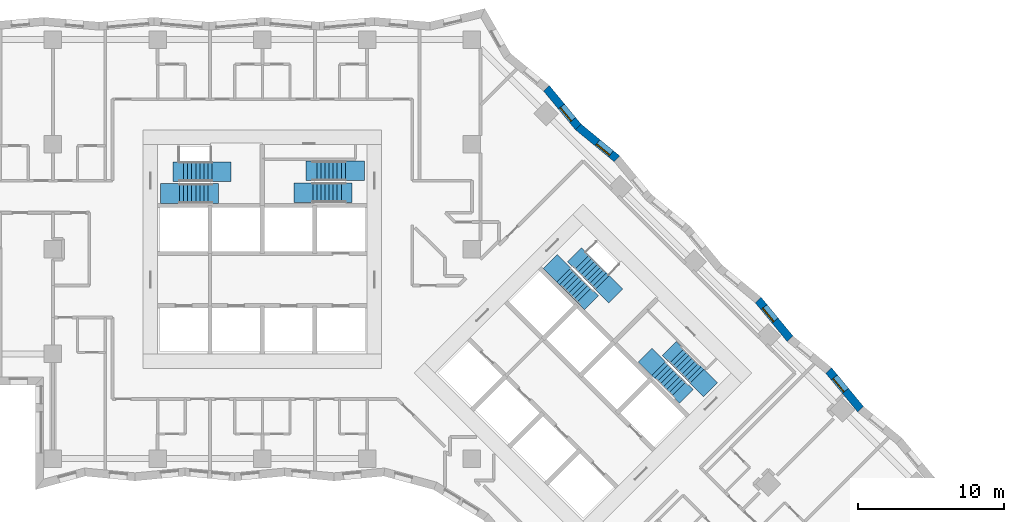
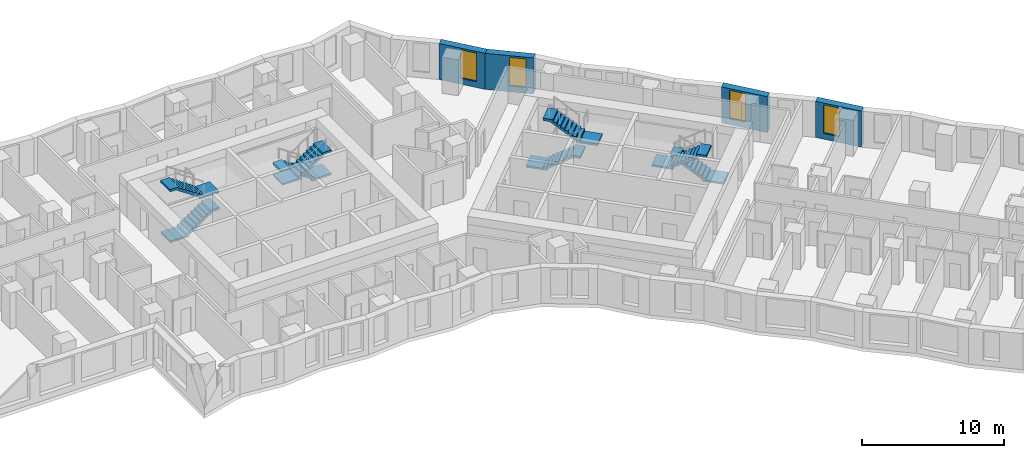
# One storey, part 11 of 13: 8 stair flights, 4 walls, 4 windows, 4 openings, 4 elements without a shape of their own.
"""IFC4 building model written with IfcOpenShell, lengths in metres."""

from ifc_helpers import new_model, si_unit, direction, frame, frame_2d, origin, place, context, subcontext, project, spatial, polyline, rectangle, outline, extrude, material, layer, layer_set, type_object, element, fill, aggregate, save


model = new_model("IFC4")

# Units and contexts
model_context = context("Model", 3, precision=1e-05, world=origin(), true_north=direction((0.0, 1.0)))
body_context = subcontext(model_context, "Body", "Model", "MODEL_VIEW")
ifc_project = project(units=[si_unit("LENGTHUNIT", "METRE"), si_unit("AREAUNIT", "SQUARE_METRE"), si_unit("VOLUMEUNIT", "CUBIC_METRE"), si_unit("PLANEANGLEUNIT", "RADIAN"), si_unit("MASSUNIT", "GRAM", prefix="KILO")], contexts=[model_context])

# Site, building, storey
site_placement = place(None, origin())
site = spatial("IfcSite", under=ifc_project, at=site_placement, CompositionType="ELEMENT")
building_placement = place(site_placement, origin())
building = spatial("IfcBuilding", under=site, at=building_placement, Name="Windrow Commons", CompositionType="ELEMENT")
storey_placement = place(building_placement, frame((0.0, 0.0, 30.4)))
storey = spatial("IfcBuildingStorey", under=building, at=storey_placement, Name="L07", CompositionType="ELEMENT", Elevation=30.4)

# Wall, opening, window
ifc_material_1 = material(Name="Brick masonry, red clay brick", Category="masonry")
ifc_layer = layer(ifc_material_1, 0.55)
ifc_layer_set = layer_set([ifc_layer], Name="Brick facade wall 550")
wall_type = type_object("IfcWallType", Name="Brick facade wall 550", PredefinedType="SOLIDWALL", material=ifc_layer_set)
wall_1_placement = place(storey_placement, frame((105.9096, 46.5968, 0.0), z_axis=(0.0, 0.0, 1.0), x_axis=(-0.6361567317, 0.7715598569, 0.0)))
wall_1 = element("IfcWall", 1, at=wall_1_placement, inside=storey, type_object=wall_type, Name="Brick facade wall L07 12", PredefinedType="SOLIDWALL", context=body_context, shape_type="SweptSolid", body=[
    extrude(outline(polyline([(0.0265, -0.275), (3.4724, -0.275), (3.4195, 0.275), (-0.0265, 0.275), (0.0265, -0.275)])), origin(), (0.0, 0.0, 1.0), 3.1),
])
opening_1_placement = place(wall_1_placement, frame((1.6364, 0.0, 0.5)))
opening_1 = element("IfcOpeningElement", 2, at=opening_1_placement, cuts=wall_1, Name="Opening W7D", PredefinedType="OPENING", context=body_context, shape_type="SweptSolid", body=[
    extrude(rectangle(XDim=1.2, YDim=2.45, at=frame_2d((0.6, 1.225))), frame((0.0, 0.285, 0.0), z_axis=(0.0, -1.0, 0.0), x_axis=(1.0, 0.0, 0.0)), (0.0, 0.0, 1.0), 0.57),
])
ifc_material_2 = material(Name="Clear float glass in anodised aluminium frame", Category="aluminium")
window_type = type_object("IfcWindowType", Name="Window W7 notch 1200x2450", PartitioningType="SINGLE_PANEL", PredefinedType="WINDOW", material=ifc_material_2)
window_1_placement = place(opening_1_placement, origin())
window_1 = element("IfcWindow", 3, at=window_1_placement, inside=storey, type_object=window_type, Name="Window L07 12.1", OverallHeight=2.45, OverallWidth=1.2, PartitioningType="SINGLE_PANEL", PredefinedType="WINDOW", context=body_context, shape_type="SweptSolid", body=[
    extrude(rectangle(XDim=1.2, YDim=2.45, at=frame_2d((0.6, 1.225))), frame((0.0, 0.155, 0.0), z_axis=(0.0, -1.0, 0.0), x_axis=(1.0, 0.0, 0.0)), (0.0, 0.0, 1.0), 0.06),
])
fill(opening_1, window_1)

wall_2_placement = place(storey_placement, frame((101.0586, 51.4478, 0.0), z_axis=(0.0, 0.0, 1.0), x_axis=(-0.636139456, 0.7715741005, 0.0)))
wall_2 = element("IfcWall", 4, at=wall_2_placement, inside=storey, type_object=wall_type, Name="Brick facade wall L07 14", PredefinedType="SOLIDWALL", context=body_context, shape_type="SweptSolid", body=[
    extrude(outline(polyline([(0.0265, -0.275), (3.4724, -0.275), (3.4195, 0.275), (-0.0265, 0.275), (0.0265, -0.275)])), origin(), (0.0, 0.0, 1.0), 3.1),
])
opening_2_placement = place(wall_2_placement, frame((1.607, 0.0, 0.5)))
opening_2 = element("IfcOpeningElement", 5, at=opening_2_placement, cuts=wall_2, Name="Opening W7D", PredefinedType="OPENING", context=body_context, shape_type="SweptSolid", body=[
    extrude(rectangle(XDim=1.2, YDim=2.45, at=frame_2d((0.6, 1.225))), frame((0.0, 0.285, 0.0), z_axis=(0.0, -1.0, 0.0), x_axis=(1.0, 0.0, 0.0)), (0.0, 0.0, 1.0), 0.57),
])
window_2_placement = place(opening_2_placement, origin())
window_2 = element("IfcWindow", 6, at=window_2_placement, inside=storey, type_object=window_type, Name="Window L07 14.1", OverallHeight=2.45, OverallWidth=1.2, PartitioningType="SINGLE_PANEL", PredefinedType="WINDOW", context=body_context, shape_type="SweptSolid", body=[
    extrude(rectangle(XDim=1.2, YDim=2.45, at=frame_2d((0.6, 1.225))), frame((0.0, 0.155, 0.0), z_axis=(0.0, -1.0, 0.0), x_axis=(1.0, 0.0, 0.0)), (0.0, 0.0, 1.0), 0.06),
])
fill(opening_2, window_2)

wall_3_placement = place(storey_placement, frame((89.1646, 63.8085, 0.0), z_axis=(0.0, 0.0, 1.0), x_axis=(-0.7715741005, 0.636139456, 0.0)))
wall_3 = element("IfcWall", 7, at=wall_3_placement, inside=storey, type_object=wall_type, Name="Brick facade wall L07 19", PredefinedType="SOLIDWALL", context=body_context, shape_type="SweptSolid", body=[
    extrude(outline(polyline([(-0.0265, -0.275), (3.4195, -0.275), (3.4724, 0.275), (0.0265, 0.275), (-0.0265, -0.275)])), origin(), (0.0, 0.0, 1.0), 3.1),
])
opening_3_placement = place(wall_3_placement, frame((0.5371, 0.0, 0.5)))
opening_3 = element("IfcOpeningElement", 8, at=opening_3_placement, cuts=wall_3, Name="Opening W7D", PredefinedType="OPENING", context=body_context, shape_type="SweptSolid", body=[
    extrude(rectangle(XDim=1.2, YDim=2.45, at=frame_2d((0.6, 1.225))), frame((0.0, 0.285, 0.0), z_axis=(0.0, -1.0, 0.0), x_axis=(1.0, 0.0, 0.0)), (0.0, 0.0, 1.0), 0.57),
])
window_3_placement = place(opening_3_placement, origin())
window_3 = element("IfcWindow", 9, at=window_3_placement, inside=storey, type_object=window_type, Name="Window L07 19.1", OverallHeight=2.45, OverallWidth=1.2, PartitioningType="SINGLE_PANEL", PredefinedType="WINDOW", context=body_context, shape_type="SweptSolid", body=[
    extrude(rectangle(XDim=1.2, YDim=2.45, at=frame_2d((0.6, 1.225))), frame((0.0, 0.155, 0.0), z_axis=(0.0, -1.0, 0.0), x_axis=(1.0, 0.0, 0.0)), (0.0, 0.0, 1.0), 0.06),
])
fill(opening_3, window_3)

wall_4_placement = place(storey_placement, frame((86.5058, 66.0006, 0.0), z_axis=(0.0, 0.0, 1.0), x_axis=(-0.6361567317, 0.7715598569, 0.0)))
wall_4 = element("IfcWall", 10, at=wall_4_placement, inside=storey, type_object=wall_type, Name="Brick facade wall L07 20", PredefinedType="SOLIDWALL", context=body_context, shape_type="SweptSolid", body=[
    extrude(outline(polyline([(0.0265, -0.275), (3.4724, -0.275), (3.4195, 0.275), (-0.0265, 0.275), (0.0265, -0.275)])), origin(), (0.0, 0.0, 1.0), 3.1),
])
opening_4_placement = place(wall_4_placement, frame((0.6092, 0.0, 0.5)))
opening_4 = element("IfcOpeningElement", 11, at=opening_4_placement, cuts=wall_4, Name="Opening W7D", PredefinedType="OPENING", context=body_context, shape_type="SweptSolid", body=[
    extrude(rectangle(XDim=1.2, YDim=2.45, at=frame_2d((0.6, 1.225))), frame((0.0, 0.285, 0.0), z_axis=(0.0, -1.0, 0.0), x_axis=(1.0, 0.0, 0.0)), (0.0, 0.0, 1.0), 0.57),
])
window_4_placement = place(opening_4_placement, origin())
window_4 = element("IfcWindow", 12, at=window_4_placement, inside=storey, type_object=window_type, Name="Window L07 20.1", OverallHeight=2.45, OverallWidth=1.2, PartitioningType="SINGLE_PANEL", PredefinedType="WINDOW", context=body_context, shape_type="SweptSolid", body=[
    extrude(rectangle(XDim=1.2, YDim=2.45, at=frame_2d((0.6, 1.225))), frame((0.0, 0.155, 0.0), z_axis=(0.0, -1.0, 0.0), x_axis=(1.0, 0.0, 0.0)), (0.0, 0.0, 1.0), 0.06),
])
fill(opening_4, window_4)

# Stair, stair flights
ifc_material_3 = material(Name="Concrete C40/50", Category="concrete")
stair_type = type_object("IfcStairType", Name="Core stair", PredefinedType="HALF_TURN_STAIR", material=ifc_material_3)
placement = place(storey_placement, origin())
stair_1 = element("IfcStair", 13, at=placement, inside=storey, type_object=stair_type, Name="L07 Exit stair A1 core A", PredefinedType="HALF_TURN_STAIR")
ifc_material_4 = material(Name="Concrete C40/50", Category="concrete")
stair_flight_type = type_object("IfcStairFlightType", Name="Core stair flight", PredefinedType="STRAIGHT", material=ifc_material_4)
stair_flight_1_placement = place(storey_placement, frame((59.1, 61.425, 0.0), z_axis=(0.0, 0.0, 1.0), x_axis=(1.0, 0.0, 0.0)))
stair_flight_1 = element("IfcStairFlight", 14, at=stair_flight_1_placement, type_object=stair_flight_type, Name="ST-A1 flight 1", NumberOfRisers=9, NumberOfTreads=8, PredefinedType="STRAIGHT", RiserHeight=0.188888889, TreadLength=0.28, context=body_context, shape_type="SweptSolid", body=[
    extrude(outline(polyline([(-1.3, -0.15), (-1.3, 0.0), (0.0, 0.0), (0.0, 0.1889), (0.28, 0.1889), (0.28, 0.3778), (0.56, 0.3778), (0.56, 0.5667), (0.84, 0.5667), (0.84, 0.7556), (1.12, 0.7556), (1.12, 0.9444), (1.4, 0.9444), (1.4, 1.1333), (1.68, 1.1333), (1.68, 1.3222), (1.96, 1.3222), (1.96, 1.5111), (2.24, 1.5111), (2.69, 1.5111), (2.69, 1.3111), (2.24, 1.3111), (2.24, 1.3302), (0.2682, 0.0), (0.2682, -0.15), (-1.3, -0.15)])), frame((0.0, 0.675, 0.0), z_axis=(0.0, -1.0, 0.0), x_axis=(1.0, 0.0, 0.0)), (0.0, 0.0, 1.0), 1.35),
])
stair_flight_2_placement = place(storey_placement, frame((61.34, 62.925, 1.7), z_axis=(0.0, 0.0, 1.0), x_axis=(-1.0, 0.0, 0.0)))
stair_flight_2 = element("IfcStairFlight", 15, at=stair_flight_2_placement, type_object=stair_flight_type, Name="ST-A1 flight 2", NumberOfRisers=9, NumberOfTreads=8, PredefinedType="STRAIGHT", RiserHeight=0.188888889, TreadLength=0.28, context=body_context, shape_type="SweptSolid", body=[
    extrude(outline(polyline([(-1.3, -0.15), (-1.3, 0.0), (0.0, 0.0), (0.0, 0.1889), (0.28, 0.1889), (0.28, 0.3778), (0.56, 0.3778), (0.56, 0.5667), (0.84, 0.5667), (0.84, 0.7556), (1.12, 0.7556), (1.12, 0.9444), (1.4, 0.9444), (1.4, 1.1333), (1.68, 1.1333), (1.68, 1.3222), (1.96, 1.3222), (1.96, 1.5111), (2.24, 1.5111), (2.69, 1.5111), (2.69, 1.3111), (2.24, 1.3111), (2.24, 1.3302), (0.2682, 0.0), (0.2682, -0.15), (-1.3, -0.15)])), frame((0.0, 0.675, 0.0), z_axis=(0.0, -1.0, 0.0), x_axis=(1.0, 0.0, 0.0)), (0.0, 0.0, 1.0), 1.35),
])
aggregate(stair_1, [stair_flight_1, stair_flight_2])

stair_2 = element("IfcStair", 16, at=placement, inside=storey, type_object=stair_type, Name="L07 Exit stair A2 core A", PredefinedType="HALF_TURN_STAIR")
stair_flight_3_placement = place(storey_placement, frame((70.5, 62.98, 0.0), z_axis=(0.0, 0.0, 1.0), x_axis=(-1.0, 0.0, 0.0)))
stair_flight_3 = element("IfcStairFlight", 17, at=stair_flight_3_placement, type_object=stair_flight_type, Name="ST-A2 flight 1", NumberOfRisers=9, NumberOfTreads=8, PredefinedType="STRAIGHT", RiserHeight=0.188888889, TreadLength=0.28, context=body_context, shape_type="SweptSolid", body=[
    extrude(outline(polyline([(-1.3, -0.15), (-1.3, 0.0), (0.0, 0.0), (0.0, 0.1889), (0.28, 0.1889), (0.28, 0.3778), (0.56, 0.3778), (0.56, 0.5667), (0.84, 0.5667), (0.84, 0.7556), (1.12, 0.7556), (1.12, 0.9444), (1.4, 0.9444), (1.4, 1.1333), (1.68, 1.1333), (1.68, 1.3222), (1.96, 1.3222), (1.96, 1.5111), (2.24, 1.5111), (2.69, 1.5111), (2.69, 1.3111), (2.24, 1.3111), (2.24, 1.3302), (0.2682, 0.0), (0.2682, -0.15), (-1.3, -0.15)])), frame((0.0, 0.675, 0.0), z_axis=(0.0, -1.0, 0.0), x_axis=(1.0, 0.0, 0.0)), (0.0, 0.0, 1.0), 1.35),
])
stair_flight_4_placement = place(storey_placement, frame((68.26, 61.48, 1.7), z_axis=(0.0, 0.0, 1.0), x_axis=(1.0, 0.0, 0.0)))
stair_flight_4 = element("IfcStairFlight", 18, at=stair_flight_4_placement, type_object=stair_flight_type, Name="ST-A2 flight 2", NumberOfRisers=9, NumberOfTreads=8, PredefinedType="STRAIGHT", RiserHeight=0.188888889, TreadLength=0.28, context=body_context, shape_type="SweptSolid", body=[
    extrude(outline(polyline([(-1.3, -0.15), (-1.3, 0.0), (0.0, 0.0), (0.0, 0.1889), (0.28, 0.1889), (0.28, 0.3778), (0.56, 0.3778), (0.56, 0.5667), (0.84, 0.5667), (0.84, 0.7556), (1.12, 0.7556), (1.12, 0.9444), (1.4, 0.9444), (1.4, 1.1333), (1.68, 1.1333), (1.68, 1.3222), (1.96, 1.3222), (1.96, 1.5111), (2.24, 1.5111), (2.69, 1.5111), (2.69, 1.3111), (2.24, 1.3111), (2.24, 1.3302), (0.2682, 0.0), (0.2682, -0.15), (-1.3, -0.15)])), frame((0.0, 0.675, 0.0), z_axis=(0.0, -1.0, 0.0), x_axis=(1.0, 0.0, 0.0)), (0.0, 0.0, 1.0), 1.35),
])
aggregate(stair_2, [stair_flight_3, stair_flight_4])

stair_3 = element("IfcStair", 19, at=placement, inside=storey, type_object=stair_type, Name="L07 Exit stair B1 core B", PredefinedType="HALF_TURN_STAIR")
stair_flight_5_placement = place(storey_placement, frame((85.5109, 55.8249, 0.0), z_axis=(0.0, 0.0, 1.0), x_axis=(0.7071067812, -0.7071067812, 0.0)))
stair_flight_5 = element("IfcStairFlight", 20, at=stair_flight_5_placement, type_object=stair_flight_type, Name="ST-B1 flight 1", NumberOfRisers=9, NumberOfTreads=8, PredefinedType="STRAIGHT", RiserHeight=0.188888889, TreadLength=0.28, context=body_context, shape_type="SweptSolid", body=[
    extrude(outline(polyline([(-1.3, -0.15), (-1.3, 0.0), (0.0, 0.0), (0.0, 0.1889), (0.28, 0.1889), (0.28, 0.3778), (0.56, 0.3778), (0.56, 0.5667), (0.84, 0.5667), (0.84, 0.7556), (1.12, 0.7556), (1.12, 0.9444), (1.4, 0.9444), (1.4, 1.1333), (1.68, 1.1333), (1.68, 1.3222), (1.96, 1.3222), (1.96, 1.5111), (2.24, 1.5111), (2.69, 1.5111), (2.69, 1.3111), (2.24, 1.3111), (2.24, 1.3302), (0.2682, 0.0), (0.2682, -0.15), (-1.3, -0.15)])), frame((0.0, 0.675, 0.0), z_axis=(0.0, -1.0, 0.0), x_axis=(1.0, 0.0, 0.0)), (0.0, 0.0, 1.0), 1.35),
])
stair_flight_6_placement = place(storey_placement, frame((88.1555, 55.3017, 1.7), z_axis=(0.0, 0.0, 1.0), x_axis=(-0.7071067812, 0.7071067812, 0.0)))
stair_flight_6 = element("IfcStairFlight", 21, at=stair_flight_6_placement, type_object=stair_flight_type, Name="ST-B1 flight 2", NumberOfRisers=9, NumberOfTreads=8, PredefinedType="STRAIGHT", RiserHeight=0.188888889, TreadLength=0.28, context=body_context, shape_type="SweptSolid", body=[
    extrude(outline(polyline([(-1.3, -0.15), (-1.3, 0.0), (0.0, 0.0), (0.0, 0.1889), (0.28, 0.1889), (0.28, 0.3778), (0.56, 0.3778), (0.56, 0.5667), (0.84, 0.5667), (0.84, 0.7556), (1.12, 0.7556), (1.12, 0.9444), (1.4, 0.9444), (1.4, 1.1333), (1.68, 1.1333), (1.68, 1.3222), (1.96, 1.3222), (1.96, 1.5111), (2.24, 1.5111), (2.69, 1.5111), (2.69, 1.3111), (2.24, 1.3111), (2.24, 1.3302), (0.2682, 0.0), (0.2682, -0.15), (-1.3, -0.15)])), frame((0.0, 0.675, 0.0), z_axis=(0.0, -1.0, 0.0), x_axis=(1.0, 0.0, 0.0)), (0.0, 0.0, 1.0), 1.35),
])
aggregate(stair_3, [stair_flight_5, stair_flight_6])

stair_4 = element("IfcStair", 22, at=placement, inside=storey, type_object=stair_type, Name="L07 Exit stair B2 core B", PredefinedType="HALF_TURN_STAIR")
stair_flight_7_placement = place(storey_placement, frame((94.6715, 48.8635, 0.0), z_axis=(0.0, 0.0, 1.0), x_axis=(-0.7071067812, 0.7071067812, 0.0)))
stair_flight_7 = element("IfcStairFlight", 23, at=stair_flight_7_placement, type_object=stair_flight_type, Name="ST-B2 flight 1", NumberOfRisers=9, NumberOfTreads=8, PredefinedType="STRAIGHT", RiserHeight=0.188888889, TreadLength=0.28, context=body_context, shape_type="SweptSolid", body=[
    extrude(outline(polyline([(-1.3, -0.15), (-1.3, 0.0), (0.0, 0.0), (0.0, 0.1889), (0.28, 0.1889), (0.28, 0.3778), (0.56, 0.3778), (0.56, 0.5667), (0.84, 0.5667), (0.84, 0.7556), (1.12, 0.7556), (1.12, 0.9444), (1.4, 0.9444), (1.4, 1.1333), (1.68, 1.1333), (1.68, 1.3222), (1.96, 1.3222), (1.96, 1.5111), (2.24, 1.5111), (2.69, 1.5111), (2.69, 1.3111), (2.24, 1.3111), (2.24, 1.3302), (0.2682, 0.0), (0.2682, -0.15), (-1.3, -0.15)])), frame((0.0, 0.675, 0.0), z_axis=(0.0, -1.0, 0.0), x_axis=(1.0, 0.0, 0.0)), (0.0, 0.0, 1.0), 1.35),
])
stair_flight_8_placement = place(storey_placement, frame((92.0269, 49.3867, 1.7), z_axis=(0.0, 0.0, 1.0), x_axis=(0.7071067812, -0.7071067812, 0.0)))
stair_flight_8 = element("IfcStairFlight", 24, at=stair_flight_8_placement, type_object=stair_flight_type, Name="ST-B2 flight 2", NumberOfRisers=9, NumberOfTreads=8, PredefinedType="STRAIGHT", RiserHeight=0.188888889, TreadLength=0.28, context=body_context, shape_type="SweptSolid", body=[
    extrude(outline(polyline([(-1.3, -0.15), (-1.3, 0.0), (0.0, 0.0), (0.0, 0.1889), (0.28, 0.1889), (0.28, 0.3778), (0.56, 0.3778), (0.56, 0.5667), (0.84, 0.5667), (0.84, 0.7556), (1.12, 0.7556), (1.12, 0.9444), (1.4, 0.9444), (1.4, 1.1333), (1.68, 1.1333), (1.68, 1.3222), (1.96, 1.3222), (1.96, 1.5111), (2.24, 1.5111), (2.69, 1.5111), (2.69, 1.3111), (2.24, 1.3111), (2.24, 1.3302), (0.2682, 0.0), (0.2682, -0.15), (-1.3, -0.15)])), frame((0.0, 0.675, 0.0), z_axis=(0.0, -1.0, 0.0), x_axis=(1.0, 0.0, 0.0)), (0.0, 0.0, 1.0), 1.35),
])
aggregate(stair_4, [stair_flight_7, stair_flight_8])

save(model, "model.ifc")
